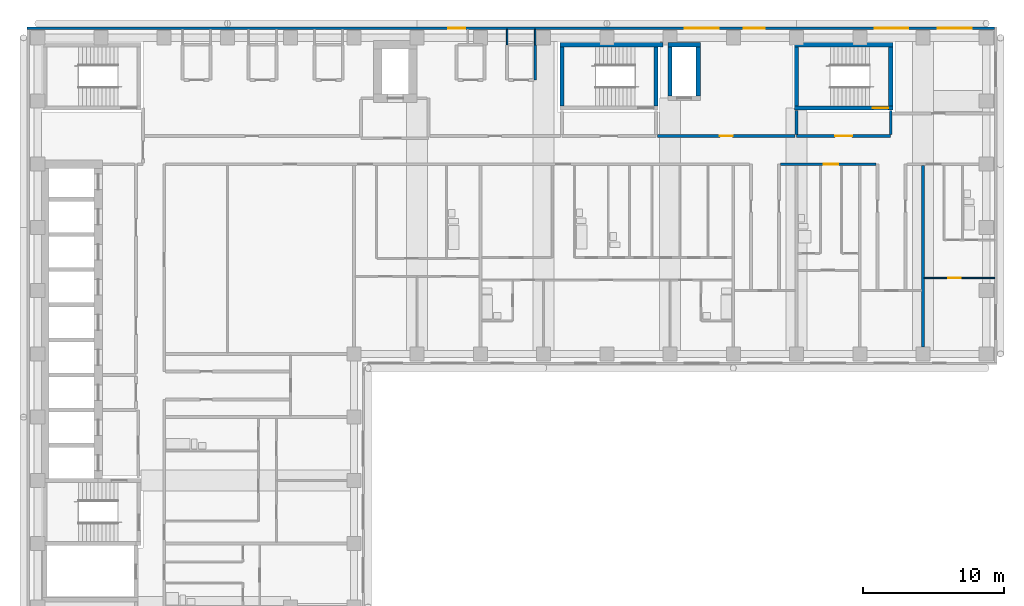
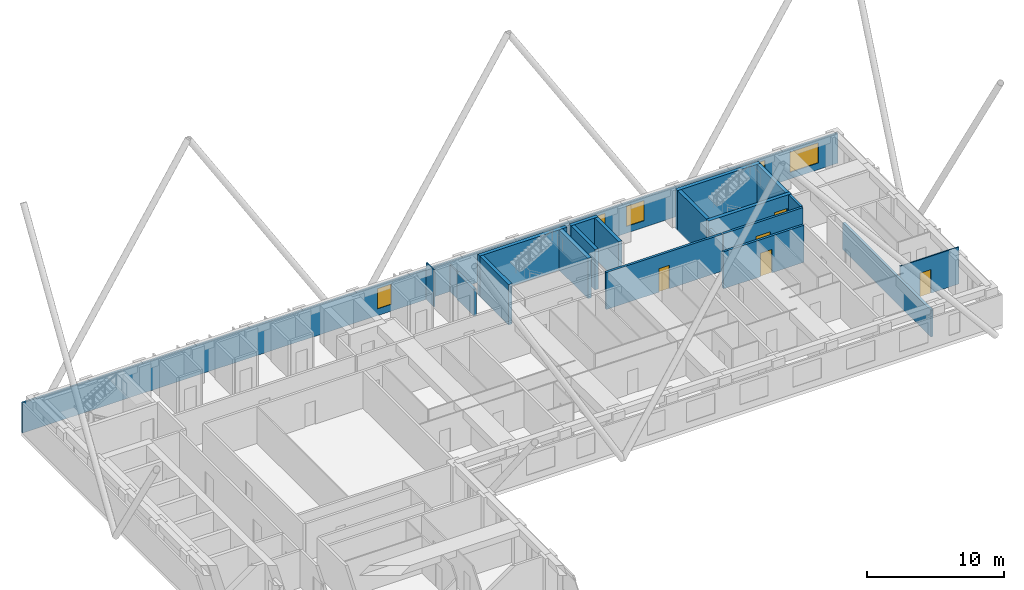
# One storey, part 9 of 13: 21 walls, 5 doors, 5 windows, 10 openings.
"""IFC4 building model written with IfcOpenShell, lengths in metres."""

from ifc_helpers import new_model, si_unit, direction, frame, frame_2d, origin, place, context, subcontext, project, spatial, rectangle, extrude, material, layer, layer_set, type_object, element, fill, save


model = new_model("IFC4")

# Units and contexts
model_context = context("Model", 3, precision=1e-05, world=origin(), true_north=direction((0.0, 1.0)))
body_context = subcontext(model_context, "Body", "Model", "MODEL_VIEW")
ifc_project = project(units=[si_unit("LENGTHUNIT", "METRE"), si_unit("AREAUNIT", "SQUARE_METRE"), si_unit("VOLUMEUNIT", "CUBIC_METRE"), si_unit("PLANEANGLEUNIT", "RADIAN"), si_unit("MASSUNIT", "GRAM", prefix="KILO")], contexts=[model_context])

# Site, building, storey
site_placement = place(None, origin())
site = spatial("IfcSite", under=ifc_project, at=site_placement, CompositionType="ELEMENT")
building_placement = place(site_placement, origin())
building = spatial("IfcBuilding", under=site, at=building_placement, Name="Firuza Court", CompositionType="ELEMENT")
storey_placement = place(building_placement, frame((0.0, 0.0, 119.60009765625)))
storey = spatial("IfcBuildingStorey", under=building, at=storey_placement, Name="L29", CompositionType="ELEMENT", Elevation=119.60009765625)

# Walls
ifc_material_1 = material(Name="Concrete C60/75", Category="concrete")
ifc_layer_1 = layer(ifc_material_1, 0.300048828125)
ifc_layer_set_1 = layer_set([ifc_layer_1], Name="Concrete C60/75")
wall_type_1 = type_object("IfcWallType", Name="Core wall 300 C60/75", PredefinedType="SHEAR", material=ifc_layer_set_1)
wall_1_placement = place(storey_placement, frame((37.14990234375, 58.0, -0.300048828125), z_axis=(0.0, 0.0, 1.0), x_axis=(1.0, 0.0, 0.0)))
element("IfcWall", 1, at=wall_1_placement, inside=storey, type_object=wall_type_1, Name="Core wall stair L29", PredefinedType="SHEAR", context=body_context, shape_type="SweptSolid", body=[
    extrude(rectangle(XDim=7.35009765625, YDim=0.300048828125, at=frame_2d((3.675048828125, 0.0))), origin(), (0.0, 0.0, 1.0), 3.599853515625),
])
for number, where, z_axis, x_axis, name in (
    (2, (37.300048828125, 53.64990234375, -0.300048828125), (0.0, 0.0, 1.0), (0.0, 1.0, 0.0), "Core wall stair L29"),
    (3, (44.0, 53.64990234375, -0.300048828125), (0.0, 0.0, 1.0), (0.0, 1.0, 0.0), "Core wall stair L29"),
):
    element("IfcWall", number, at=place(storey_placement, frame(where, z_axis=z_axis, x_axis=x_axis)), inside=storey, type_object=wall_type_1, Name=name, PredefinedType="SHEAR", context=body_context, shape_type="SweptSolid", body=[
        extrude(rectangle(XDim=4.2001953125, YDim=0.300048828125, at=frame_2d((2.10009765625, 0.0))), origin(), (0.0, 0.0, 1.0), 3.599853515625),
    ])
wall_2_placement = place(storey_placement, frame((44.85009765625, 58.0, -0.300048828125), z_axis=(0.0, 0.0, 1.0), x_axis=(1.0, 0.0, 0.0)))
element("IfcWall", 4, at=wall_2_placement, inside=storey, type_object=wall_type_1, Name="Core wall riser L29", PredefinedType="SHEAR", context=body_context, shape_type="SweptSolid", body=[
    extrude(rectangle(XDim=2.2998046875, YDim=0.300048828125, at=frame_2d((1.14990234375, 0.0))), origin(), (0.0, 0.0, 1.0), 3.599853515625),
])
for number, where, z_axis, x_axis, name in (
    (5, (45.0, 54.35009765625, -0.300048828125), (0.0, 0.0, 1.0), (0.0, 1.0, 0.0), "Core wall riser L29"),
    (6, (47.0, 54.35009765625, -0.300048828125), (0.0, 0.0, 1.0), (0.0, 1.0, 0.0), "Core wall riser L29"),
):
    element("IfcWall", number, at=place(storey_placement, frame(where, z_axis=z_axis, x_axis=x_axis)), inside=storey, type_object=wall_type_1, Name=name, PredefinedType="SHEAR", context=body_context, shape_type="SweptSolid", body=[
        extrude(rectangle(XDim=3.5, YDim=0.300048828125, at=frame_2d((1.75, 0.0))), origin(), (0.0, 0.0, 1.0), 3.599853515625),
    ])

# Wall, opening, door
wall_3_placement = place(storey_placement, frame((53.85009765625, 53.5, -0.300048828125), z_axis=(0.0, 0.0, 1.0), x_axis=(1.0, 0.0, 0.0)))
wall_3 = element("IfcWall", 7, at=wall_3_placement, inside=storey, type_object=wall_type_1, Name="Core wall stair L29", PredefinedType="SHEAR", context=body_context, shape_type="SweptSolid", body=[
    extrude(rectangle(XDim=7.0, YDim=0.300048828125, at=frame_2d((3.5, 0.0))), origin(), (0.0, 0.0, 1.0), 3.599853515625),
])
opening_1_placement = place(wall_3_placement, frame((5.580078125, 0.0, 0.300048828125)))
opening_1 = element("IfcOpeningElement", 8, at=opening_1_placement, cuts=wall_3, Name="Opening D29016", PredefinedType="OPENING", context=body_context, shape_type="SweptSolid", body=[
    extrude(rectangle(XDim=1.10009765625, YDim=2.10009765625, at=frame_2d((0.550048828125, 1.050048828125))), frame((0.0, 0.162109375, 0.0), z_axis=(0.0, -1.0, 0.0), x_axis=(1.0, 0.0, 0.0)), (0.0, 0.0, 1.0), 0.323974609375),
])
ifc_material_2 = material(Name="Timber door leaf in hardwood frame", Category="wood")
door_type_1 = type_object("IfcDoorType", Name="Stair door 1100", OperationType="SINGLE_SWING_LEFT", PredefinedType="DOOR", material=ifc_material_2)
door_1_placement = place(opening_1_placement, origin())
door_1 = element("IfcDoor", 9, at=door_1_placement, inside=storey, type_object=door_type_1, Name="Stair door S4", OperationType="SINGLE_SWING_RIGHT", OverallHeight=2.10009765625, OverallWidth=1.10009765625, PredefinedType="DOOR", context=body_context, shape_type="SweptSolid", body=[
    extrude(rectangle(XDim=1.10009765625, YDim=2.10009765625, at=frame_2d((0.550048828125, 1.050048828125))), frame((0.0, 0.02490234375, 0.0), z_axis=(0.0, -1.0, 0.0), x_axis=(1.0, 0.0, 0.0)), (0.0, 0.0, 1.0), 0.050048828125),
])
fill(opening_1, door_1)

# Walls
wall_4_placement = place(storey_placement, frame((53.85009765625, 58.0, -0.300048828125), z_axis=(0.0, 0.0, 1.0), x_axis=(1.0, 0.0, 0.0)))
element("IfcWall", 10, at=wall_4_placement, inside=storey, type_object=wall_type_1, Name="Core wall stair L29", PredefinedType="SHEAR", context=body_context, shape_type="SweptSolid", body=[
    extrude(rectangle(XDim=7.0, YDim=0.300048828125, at=frame_2d((3.5, 0.0))), origin(), (0.0, 0.0, 1.0), 3.599853515625),
])
for number, where, z_axis, x_axis, name in (
    (11, (54.0, 53.64990234375, -0.300048828125), (0.0, 0.0, 1.0), (0.0, 1.0, 0.0), "Core wall stair L29"),
    (12, (60.699951171875, 53.64990234375, -0.300048828125), (0.0, 0.0, 1.0), (0.0, 1.0, 0.0), "Core wall stair L29"),
):
    element("IfcWall", number, at=place(storey_placement, frame(where, z_axis=z_axis, x_axis=x_axis)), inside=storey, type_object=wall_type_1, Name=name, PredefinedType="SHEAR", context=body_context, shape_type="SweptSolid", body=[
        extrude(rectangle(XDim=4.2001953125, YDim=0.300048828125, at=frame_2d((2.10009765625, 0.0))), origin(), (0.0, 0.0, 1.0), 3.599853515625),
    ])

# Wall, opening, door
ifc_material_3 = material(Name="Blockwork, plastered both sides", Category="masonry")
ifc_layer_2 = layer(ifc_material_3, 0.199951171875)
ifc_layer_set_2 = layer_set([ifc_layer_2], Name="Blockwork, plastered both sides")
wall_type_2 = type_object("IfcWallType", Name="Corridor wall 200", PredefinedType="PARTITIONING", material=ifc_layer_set_2)
wall_5_placement = place(storey_placement, frame((52.85009765625, 49.5, 0.0), z_axis=(0.0, 0.0, 1.0), x_axis=(1.0, 0.0, 0.0)))
wall_5 = element("IfcWall", 13, at=wall_5_placement, inside=storey, type_object=wall_type_2, Name="Corridor wall 200 L29", PredefinedType="PARTITIONING", context=body_context, shape_type="SweptSolid", body=[
    extrude(rectangle(XDim=6.7998046875, YDim=0.199951171875, at=frame_2d((3.39990234375, 0.0))), origin(), (0.0, 0.0, 1.0), 3.2998046875),
])
opening_2_placement = place(wall_5_placement, frame((3.10009765625, 0.0, 0.0)))
opening_2 = element("IfcOpeningElement", 14, at=opening_2_placement, cuts=wall_5, Name="Opening D29069", PredefinedType="OPENING", context=body_context, shape_type="SweptSolid", body=[
    extrude(rectangle(XDim=1.0, YDim=2.10009765625, at=frame_2d((0.5, 1.050048828125))), frame((0.0, 0.11181640625, 0.0), z_axis=(0.0, -1.0, 0.0), x_axis=(1.0, 0.0, 0.0)), (0.0, 0.0, 1.0), 0.223876953125),
])
ifc_material_4 = material(Name="Timber door leaf in hardwood frame", Category="wood")
door_type_2 = type_object("IfcDoorType", Name="Flat entrance door 1000", OperationType="SINGLE_SWING_LEFT", PredefinedType="DOOR", material=ifc_material_4)
door_2_placement = place(opening_2_placement, origin())
door_2 = element("IfcDoor", 15, at=door_2_placement, inside=storey, type_object=door_type_2, Name="Flat entrance door", OperationType="SINGLE_SWING_LEFT", OverallHeight=2.10009765625, OverallWidth=1.0, PredefinedType="DOOR", context=body_context, shape_type="SweptSolid", body=[
    extrude(rectangle(XDim=1.0, YDim=2.10009765625, at=frame_2d((0.5, 1.050048828125))), frame((0.0, 0.02490234375, 0.0), z_axis=(0.0, -1.0, 0.0), x_axis=(1.0, 0.0, 0.0)), (0.0, 0.0, 1.0), 0.050048828125),
])
fill(opening_2, door_2)

wall_6_placement = place(storey_placement, frame((44.10009765625, 51.5, 0.0), z_axis=(0.0, 0.0, 1.0), x_axis=(1.0, 0.0, 0.0)))
wall_6 = element("IfcWall", 16, at=wall_6_placement, inside=storey, type_object=wall_type_2, Name="Corridor wall 200 L29", PredefinedType="PARTITIONING", context=body_context, shape_type="SweptSolid", body=[
    extrude(rectangle(XDim=9.7998046875, YDim=0.199951171875, at=frame_2d((4.89990234375, 0.0))), origin(), (0.0, 0.0, 1.0), 3.2998046875),
])
opening_3_placement = place(wall_6_placement, frame((4.449951171875, 0.0, 0.0)))
opening_3 = element("IfcOpeningElement", 17, at=opening_3_placement, cuts=wall_6, Name="Opening D29073", PredefinedType="OPENING", context=body_context, shape_type="SweptSolid", body=[
    extrude(rectangle(XDim=0.89990234375, YDim=2.10009765625, at=frame_2d((0.449951171875, 1.050048828125))), frame((0.0, 0.11181640625, 0.0), z_axis=(0.0, -1.0, 0.0), x_axis=(1.0, 0.0, 0.0)), (0.0, 0.0, 1.0), 0.223876953125),
])
ifc_material_5 = material(Name="Timber door leaf in hardwood frame", Category="wood")
door_type_3 = type_object("IfcDoorType", Name="Room door 900 EI 30", OperationType="SINGLE_SWING_LEFT", PredefinedType="DOOR", material=ifc_material_5)
door_3_placement = place(opening_3_placement, origin())
door_3 = element("IfcDoor", 18, at=door_3_placement, inside=storey, type_object=door_type_3, Name="Meeting room door", OperationType="SINGLE_SWING_LEFT", OverallHeight=2.10009765625, OverallWidth=0.89990234375, PredefinedType="DOOR", context=body_context, shape_type="SweptSolid", body=[
    extrude(rectangle(XDim=0.89990234375, YDim=2.10009765625, at=frame_2d((0.449951171875, 1.050048828125))), frame((0.0, 0.02490234375, 0.0), z_axis=(0.0, -1.0, 0.0), x_axis=(1.0, 0.0, 0.0)), (0.0, 0.0, 1.0), 0.050048828125),
])
fill(opening_3, door_3)

ifc_material_6 = material(Name="Timber stud partition, plasterboard both sides", Category="wood")
ifc_layer_3 = layer(ifc_material_6, 0.10009765625)
ifc_layer_set_3 = layer_set([ifc_layer_3], Name="Timber stud partition, plasterboard both sides")
wall_type_3 = type_object("IfcWallType", Name="Partition wall 100", PredefinedType="PARTITIONING", material=ifc_layer_set_3)
wall_7_placement = place(storey_placement, frame((63.10009765625, 41.39990234375, 0.0), z_axis=(0.0, 0.0, 1.0), x_axis=(1.0, 0.0, 0.0)))
wall_7 = element("IfcWall", 19, at=wall_7_placement, inside=storey, type_object=wall_type_3, Name="Partition wall 100 L29", PredefinedType="PARTITIONING", context=body_context, shape_type="SweptSolid", body=[
    extrude(rectangle(XDim=5.0, YDim=0.10009765625, at=frame_2d((2.5, 0.0))), origin(), (0.0, 0.0, 1.0), 3.2998046875),
])
opening_4_placement = place(wall_7_placement, frame((1.699951171875, 0.0, 0.0)))
opening_4 = element("IfcOpeningElement", 20, at=opening_4_placement, cuts=wall_7, Name="Opening D29049", PredefinedType="OPENING", context=body_context, shape_type="SweptSolid", body=[
    extrude(rectangle(XDim=0.89990234375, YDim=2.10009765625, at=frame_2d((0.449951171875, 1.050048828125))), frame((0.0, 0.06201171875, 0.0), z_axis=(0.0, -1.0, 0.0), x_axis=(1.0, 0.0, 0.0)), (0.0, 0.0, 1.0), 0.1240234375),
])
ifc_material_7 = material(Name="Timber door leaf in hardwood frame", Category="wood")
door_type_4 = type_object("IfcDoorType", Name="Room door 900", OperationType="SINGLE_SWING_LEFT", PredefinedType="DOOR", material=ifc_material_7)
door_4_placement = place(opening_4_placement, frame((0.89990234375, 0.0, 0.0), z_axis=(0.0, 0.0, 1.0), x_axis=(-1.0, 0.0, 0.0)))
door_4 = element("IfcDoor", 21, at=door_4_placement, inside=storey, type_object=door_type_4, Name="Studio room door", OperationType="SINGLE_SWING_RIGHT", OverallHeight=2.10009765625, OverallWidth=0.89990234375, PredefinedType="DOOR", context=body_context, shape_type="SweptSolid", body=[
    extrude(rectangle(XDim=0.89990234375, YDim=2.10009765625, at=frame_2d((0.449951171875, 1.050048828125))), frame((0.0, 0.02490234375, 0.0), z_axis=(0.0, -1.0, 0.0), x_axis=(1.0, 0.0, 0.0)), (0.0, 0.0, 1.0), 0.050048828125),
])
fill(opening_4, door_4)

# Walls
wall_8_placement = place(storey_placement, frame((33.39990234375, 58.0, 0.0), z_axis=(0.0, 0.0, 1.0), x_axis=(0.0, 1.0, 0.0)))
element("IfcWall", 22, at=wall_8_placement, inside=storey, type_object=wall_type_3, Name="Partition wall 100 L29", PredefinedType="PARTITIONING", context=body_context, shape_type="SweptSolid", body=[
    extrude(rectangle(XDim=1.10009765625, YDim=0.10009765625, at=frame_2d((0.550048828125, 0.0))), origin(), (0.0, 0.0, 1.0), 3.2998046875),
])
wall_9_placement = place(storey_placement, frame((35.39990234375, 58.0, 0.0), z_axis=(0.0, 0.0, 1.0), x_axis=(0.0, 1.0, 0.0)))
element("IfcWall", 23, at=wall_9_placement, inside=storey, type_object=wall_type_3, Name="Partition wall 100 L29", PredefinedType="PARTITIONING", context=body_context, shape_type="SweptSolid", body=[
    extrude(rectangle(XDim=1.10009765625, YDim=0.10009765625, at=frame_2d((0.550048828125, 0.0))), origin(), (0.0, 0.0, 1.0), 2.39990234375),
])
ifc_layer_4 = layer(ifc_material_3, 0.199951171875)
ifc_layer_set_4 = layer_set([ifc_layer_4], Name="Blockwork, plastered both sides")
wall_type_4 = type_object("IfcWallType", Name="Party wall 200", PredefinedType="PARTITIONING", material=ifc_layer_set_4)
wall_10_placement = place(storey_placement, frame((63.0, 36.5, 0.0), z_axis=(0.0, 0.0, 1.0), x_axis=(0.0, 1.0, 0.0)))
element("IfcWall", 24, at=wall_10_placement, inside=storey, type_object=wall_type_4, Name="Party wall 200 L29", PredefinedType="PARTITIONING", context=body_context, shape_type="SweptSolid", body=[
    extrude(rectangle(XDim=12.89990234375, YDim=0.199951171875, at=frame_2d((6.449951171875, 0.0))), origin(), (0.0, 0.0, 1.0), 2.39990234375),
])
ifc_material_8 = material(Name="Blockwork, fire-rated", Category="masonry")
ifc_layer_5 = layer(ifc_material_8, 0.199951171875)
ifc_layer_set_5 = layer_set([ifc_layer_5], Name="Blockwork, fire-rated")
wall_type_5 = type_object("IfcWallType", Name="Plant room wall 200", PredefinedType="PARTITIONING", material=ifc_layer_set_5)
wall_11_placement = place(storey_placement, frame((35.39990234375, 55.5, 0.0), z_axis=(0.0, 0.0, 1.0), x_axis=(0.0, 1.0, 0.0)))
element("IfcWall", 25, at=wall_11_placement, inside=storey, type_object=wall_type_5, Name="Plant room wall 200 L29", PredefinedType="PARTITIONING", context=body_context, shape_type="SweptSolid", body=[
    extrude(rectangle(XDim=2.5, YDim=0.199951171875, at=frame_2d((1.25, 0.0))), origin(), (0.0, 0.0, 1.0), 2.39990234375),
])

# Wall, openings, windows
ifc_material_9 = material(Name="Ceramic tile", Category="ceramic")
ifc_layer_6 = layer(ifc_material_9, 0.02001953125)
ifc_material_10 = material(Name="Mineral wool insulation", Category="insulation")
ifc_layer_7 = layer(ifc_material_10, 0.050048828125)
ifc_material_11 = material(Name="Concrete C40/50 precast", Category="concrete")
ifc_layer_8 = layer(ifc_material_11, 0.080078125)
ifc_layer_set_6 = layer_set([ifc_layer_6, ifc_layer_7, ifc_layer_8], Name="Concrete C40/50 precast")
wall_type_6 = type_object("IfcWallType", Name="Precast cladding wall with turquoise TILE PANEL face 150", PredefinedType="STANDARD", material=ifc_layer_set_6)
wall_12_placement = place(storey_placement, frame((68.10009765625, 59.175048828125, 0.0), z_axis=(0.0, 0.0, 1.0), x_axis=(-1.0, 0.0, 0.0)))
wall_12 = element("IfcWall", 26, at=wall_12_placement, inside=storey, type_object=wall_type_6, Name="Facade wall L29 N", PredefinedType="STANDARD", context=body_context, shape_type="SweptSolid", body=[
    extrude(rectangle(XDim=68.85009765625, YDim=0.14990234375, at=frame_2d((34.425048828125, 0.0))), origin(), (0.0, 0.0, 1.0), 2.699951171875),
])
opening_5_placement = place(wall_12_placement, frame((1.64990234375, 0.0, 0.60009765625)))
opening_5 = element("IfcOpeningElement", 27, at=opening_5_placement, cuts=wall_12, Name="Opening W1", PredefinedType="OPENING", context=body_context, shape_type="SweptSolid", body=[
    extrude(rectangle(XDim=2.39990234375, YDim=1.800048828125, at=frame_2d((1.199951171875, 0.89990234375))), frame((0.0, 0.0869140625, 0.0), z_axis=(0.0, -1.0, 0.0), x_axis=(1.0, 0.0, 0.0)), (0.0, 0.0, 1.0), 0.173828125),
])
opening_6_placement = place(wall_12_placement, frame((6.14990234375, 0.0, 0.60009765625)))
opening_6 = element("IfcOpeningElement", 28, at=opening_6_placement, cuts=wall_12, Name="Opening W1", PredefinedType="OPENING", context=body_context, shape_type="SweptSolid", body=[
    extrude(rectangle(XDim=2.39990234375, YDim=1.800048828125, at=frame_2d((1.199951171875, 0.89990234375))), frame((0.0, 0.0869140625, 0.0), z_axis=(0.0, -1.0, 0.0), x_axis=(1.0, 0.0, 0.0)), (0.0, 0.0, 1.0), 0.173828125),
])
opening_7_placement = place(wall_12_placement, frame((16.3466796875, 0.0, 0.60009765625)))
opening_7 = element("IfcOpeningElement", 29, at=opening_7_placement, cuts=wall_12, Name="Opening W2", PredefinedType="OPENING", context=body_context, shape_type="SweptSolid", body=[
    extrude(rectangle(XDim=1.5, YDim=1.800048828125, at=frame_2d((0.75, 0.89990234375))), frame((0.0, 0.0869140625, 0.0), z_axis=(0.0, -1.0, 0.0), x_axis=(1.0, 0.0, 0.0)), (0.0, 0.0, 1.0), 0.173828125),
])
opening_8_placement = place(wall_12_placement, frame((19.64990234375, 0.0, 0.60009765625)))
opening_8 = element("IfcOpeningElement", 30, at=opening_8_placement, cuts=wall_12, Name="Opening W1", PredefinedType="OPENING", context=body_context, shape_type="SweptSolid", body=[
    extrude(rectangle(XDim=2.39990234375, YDim=1.800048828125, at=frame_2d((1.199951171875, 0.89990234375))), frame((0.0, 0.0869140625, 0.0), z_axis=(0.0, -1.0, 0.0), x_axis=(1.0, 0.0, 0.0)), (0.0, 0.0, 1.0), 0.173828125),
])
opening_9_placement = place(wall_12_placement, frame((37.678466796875, 0.0, 0.60009765625)))
opening_9 = element("IfcOpeningElement", 31, at=opening_9_placement, cuts=wall_12, Name="Opening W8", PredefinedType="OPENING", context=body_context, shape_type="SweptSolid", body=[
    extrude(rectangle(XDim=1.199951171875, YDim=1.800048828125, at=frame_2d((0.60009765625, 0.89990234375))), frame((0.0, 0.0869140625, 0.0), z_axis=(0.0, -1.0, 0.0), x_axis=(1.0, 0.0, 0.0)), (0.0, 0.0, 1.0), 0.173828125),
])
ifc_material_12 = material(Name="Aluminium frame, triple clear glazing", Category="aluminium")
window_type_1 = type_object("IfcWindowType", Name="Window W1 2400 x 1800", PartitioningType="SINGLE_PANEL", PredefinedType="WINDOW", material=ifc_material_12)
window_1_placement = place(opening_5_placement, origin())
window_1 = element("IfcWindow", 32, at=window_1_placement, inside=storey, type_object=window_type_1, Name="Window L29", OverallHeight=1.800048828125, OverallWidth=2.39990234375, PartitioningType="SINGLE_PANEL", PredefinedType="WINDOW", context=body_context, shape_type="SweptSolid", body=[
    extrude(rectangle(XDim=2.39990234375, YDim=1.800048828125, at=frame_2d((1.199951171875, 0.89990234375))), frame((0.0, 0.030029296875, 0.0), z_axis=(0.0, -1.0, 0.0), x_axis=(1.0, 0.0, 0.0)), (0.0, 0.0, 1.0), 0.06005859375),
])
fill(opening_5, window_1)
window_2_placement = place(opening_6_placement, origin())
window_2 = element("IfcWindow", 33, at=window_2_placement, inside=storey, type_object=window_type_1, Name="Window L29", OverallHeight=1.800048828125, OverallWidth=2.39990234375, PartitioningType="SINGLE_PANEL", PredefinedType="WINDOW", context=body_context, shape_type="SweptSolid", body=[
    extrude(rectangle(XDim=2.39990234375, YDim=1.800048828125, at=frame_2d((1.199951171875, 0.89990234375))), frame((0.0, 0.030029296875, 0.0), z_axis=(0.0, -1.0, 0.0), x_axis=(1.0, 0.0, 0.0)), (0.0, 0.0, 1.0), 0.06005859375),
])
fill(opening_6, window_2)
window_3_placement = place(opening_8_placement, origin())
window_3 = element("IfcWindow", 34, at=window_3_placement, inside=storey, type_object=window_type_1, Name="Window L29", OverallHeight=1.800048828125, OverallWidth=2.39990234375, PartitioningType="SINGLE_PANEL", PredefinedType="WINDOW", context=body_context, shape_type="SweptSolid", body=[
    extrude(rectangle(XDim=2.39990234375, YDim=1.800048828125, at=frame_2d((1.199951171875, 0.89990234375))), frame((0.0, 0.030029296875, 0.0), z_axis=(0.0, -1.0, 0.0), x_axis=(1.0, 0.0, 0.0)), (0.0, 0.0, 1.0), 0.06005859375),
])
fill(opening_8, window_3)
ifc_material_13 = material(Name="Aluminium frame, triple clear glazing", Category="aluminium")
window_type_2 = type_object("IfcWindowType", Name="Window W2 1500 x 1800", PartitioningType="SINGLE_PANEL", PredefinedType="WINDOW", material=ifc_material_13)
window_4_placement = place(opening_7_placement, origin())
window_4 = element("IfcWindow", 35, at=window_4_placement, inside=storey, type_object=window_type_2, Name="Window L29", OverallHeight=1.800048828125, OverallWidth=1.5, PartitioningType="SINGLE_PANEL", PredefinedType="WINDOW", context=body_context, shape_type="SweptSolid", body=[
    extrude(rectangle(XDim=1.5, YDim=1.800048828125, at=frame_2d((0.75, 0.89990234375))), frame((0.0, 0.030029296875, 0.0), z_axis=(0.0, -1.0, 0.0), x_axis=(1.0, 0.0, 0.0)), (0.0, 0.0, 1.0), 0.06005859375),
])
fill(opening_7, window_4)
ifc_material_14 = material(Name="Aluminium frame, triple clear glazing", Category="aluminium")
window_type_3 = type_object("IfcWindowType", Name="Window W8 1200 x 1800", PartitioningType="SINGLE_PANEL", PredefinedType="WINDOW", material=ifc_material_14)
window_5_placement = place(opening_9_placement, origin())
window_5 = element("IfcWindow", 36, at=window_5_placement, inside=storey, type_object=window_type_3, Name="Window L29", OverallHeight=1.800048828125, OverallWidth=1.199951171875, PartitioningType="SINGLE_PANEL", PredefinedType="WINDOW", context=body_context, shape_type="SweptSolid", body=[
    extrude(rectangle(XDim=1.199951171875, YDim=1.800048828125, at=frame_2d((0.60009765625, 0.89990234375))), frame((0.0, 0.030029296875, 0.0), z_axis=(0.0, -1.0, 0.0), x_axis=(1.0, 0.0, 0.0)), (0.0, 0.0, 1.0), 0.06005859375),
])
fill(opening_9, window_5)

# Wall, opening, door
ifc_layer_9 = layer(ifc_material_8, 0.199951171875)
ifc_layer_set_7 = layer_set([ifc_layer_9], Name="Blockwork, fire-rated")
wall_type_7 = type_object("IfcWallType", Name="Shaft wall 200", PredefinedType="PARTITIONING", material=ifc_layer_set_7)
wall_13_placement = place(storey_placement, frame((54.0, 51.5, 0.0), z_axis=(0.0, 0.0, 1.0), x_axis=(1.0, 0.0, 0.0)))
wall_13 = element("IfcWall", 37, at=wall_13_placement, inside=storey, type_object=wall_type_7, Name="Shaft wall 200 L29", PredefinedType="PARTITIONING", context=body_context, shape_type="SweptSolid", body=[
    extrude(rectangle(XDim=6.699951171875, YDim=0.199951171875, at=frame_2d((3.35009765625, 0.0))), origin(), (0.0, 0.0, 1.0), 3.2998046875),
])
opening_10_placement = place(wall_13_placement, frame((2.75, 0.0, 0.0)))
opening_10 = element("IfcOpeningElement", 38, at=opening_10_placement, cuts=wall_13, Name="Opening D29007", PredefinedType="OPENING", context=body_context, shape_type="SweptSolid", body=[
    extrude(rectangle(XDim=1.199951171875, YDim=2.10009765625, at=frame_2d((0.60009765625, 1.050048828125))), frame((0.0, 0.11181640625, 0.0), z_axis=(0.0, -1.0, 0.0), x_axis=(1.0, 0.0, 0.0)), (0.0, 0.0, 1.0), 0.223876953125),
])
ifc_material_15 = material(Name="Timber door leaf in hardwood frame", Category="wood")
door_type_5 = type_object("IfcDoorType", Name="Lobby door 1200", OperationType="SINGLE_SWING_LEFT", PredefinedType="DOOR", material=ifc_material_15)
door_5_placement = place(opening_10_placement, origin())
door_5 = element("IfcDoor", 39, at=door_5_placement, inside=storey, type_object=door_type_5, Name="Lobby door", OperationType="SINGLE_SWING_LEFT", OverallHeight=2.10009765625, OverallWidth=1.199951171875, PredefinedType="DOOR", context=body_context, shape_type="SweptSolid", body=[
    extrude(rectangle(XDim=1.199951171875, YDim=2.10009765625, at=frame_2d((0.60009765625, 1.050048828125))), frame((0.0, 0.02490234375, 0.0), z_axis=(0.0, -1.0, 0.0), x_axis=(1.0, 0.0, 0.0)), (0.0, 0.0, 1.0), 0.050048828125),
])
fill(opening_10, door_5)

# Walls
wall_14_placement = place(storey_placement, frame((60.699951171875, 51.60009765625, 0.0), z_axis=(0.0, 0.0, 1.0), x_axis=(0.0, 1.0, 0.0)))
element("IfcWall", 40, at=wall_14_placement, inside=storey, type_object=wall_type_7, Name="Shaft wall 200 L29", PredefinedType="PARTITIONING", context=body_context, shape_type="SweptSolid", body=[
    extrude(rectangle(XDim=1.72998046875, YDim=0.199951171875, at=frame_2d((0.864990234375, 0.0))), origin(), (0.0, 0.0, 1.0), 3.2998046875),
])
wall_15_placement = place(storey_placement, frame((54.0, 51.60009765625, 0.0), z_axis=(0.0, 0.0, 1.0), x_axis=(0.0, 1.0, 0.0)))
element("IfcWall", 41, at=wall_15_placement, inside=storey, type_object=wall_type_7, Name="Shaft wall 200 L29", PredefinedType="PARTITIONING", context=body_context, shape_type="SweptSolid", body=[
    extrude(rectangle(XDim=1.72998046875, YDim=0.199951171875, at=frame_2d((0.864990234375, 0.0))), origin(), (0.0, 0.0, 1.0), 2.599853515625),
])

save(model, "model.ifc")
